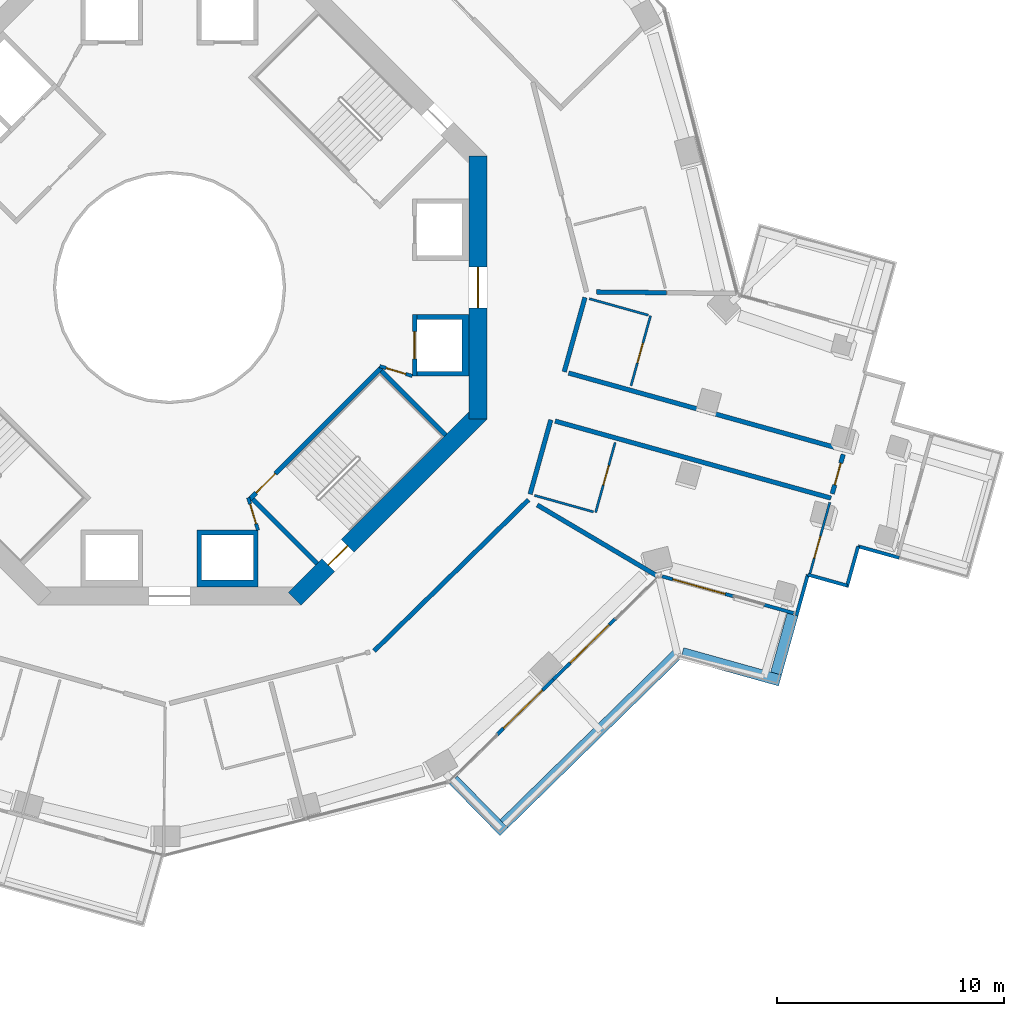
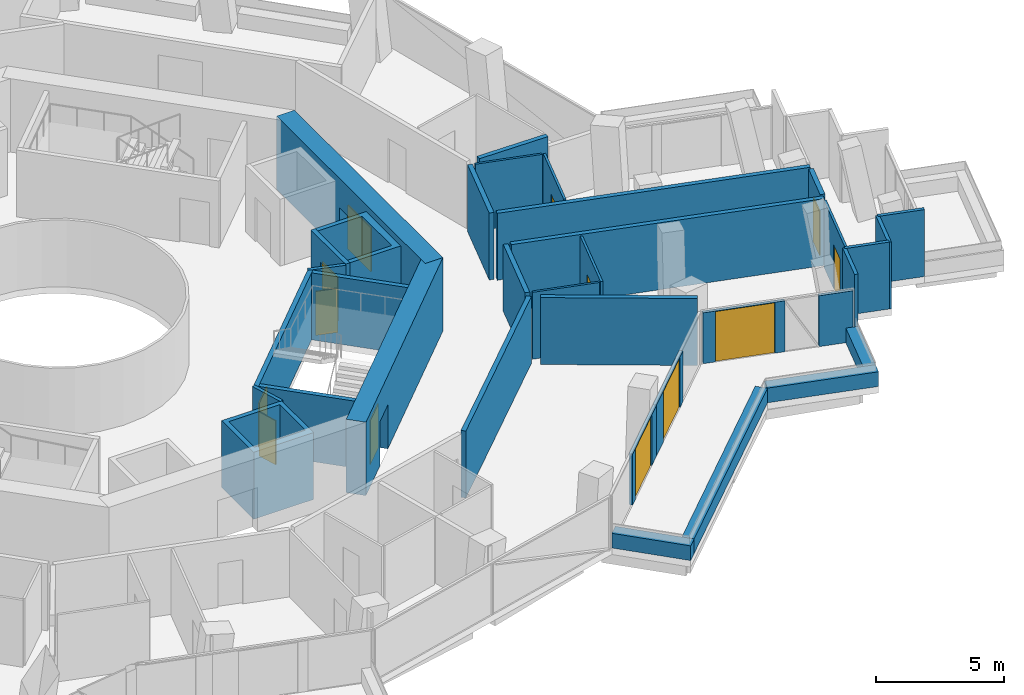
# One storey, part 20 of 26: 35 walls, 13 doors, 13 openings.
"""IFC4 building model written with IfcOpenShell, lengths in metres."""

from ifc_helpers import new_model, si_unit, direction, frame, frame_2d, origin, place, context, subcontext, project, spatial, polyline, rectangle, outline, extrude, material, layer, layer_set, type_object, element, fill, save


model = new_model("IFC4")

# Units and contexts
model_context = context("Model", 3, precision=1e-05, world=origin(), true_north=direction((0.0, 1.0)))
body_context = subcontext(model_context, "Body", "Model", "MODEL_VIEW")
ifc_project = project(units=[si_unit("LENGTHUNIT", "METRE"), si_unit("AREAUNIT", "SQUARE_METRE"), si_unit("VOLUMEUNIT", "CUBIC_METRE"), si_unit("PLANEANGLEUNIT", "RADIAN"), si_unit("MASSUNIT", "GRAM", prefix="KILO")], contexts=[model_context])

# Site, building, storey
site_placement = place(None, origin())
site = spatial("IfcSite", under=ifc_project, at=site_placement, CompositionType="ELEMENT")
building_placement = place(site_placement, origin())
building = spatial("IfcBuilding", under=site, at=building_placement, Name="Verdalira Terraces Hotel", CompositionType="ELEMENT")
storey_placement = place(building_placement, frame((0.0, 0.0, 93.0)))
storey = spatial("IfcBuildingStorey", under=building, at=storey_placement, Name="L21", CompositionType="ELEMENT", Elevation=93.0)

# Walls
ifc_material_1 = material(Name="Concrete C40", Category="concrete")
ifc_layer_1 = layer(ifc_material_1, 0.5)
ifc_layer_set_1 = layer_set([ifc_layer_1], Name="Balcony planter trough with tree")
wall_type_1 = type_object("IfcWallType", Name="Balcony planter trough with tree", PredefinedType="SOLIDWALL", material=ifc_layer_set_1)
wall_1_placement = place(storey_placement, frame((12.507812, -21.705566, 0.0), z_axis=(0.0, 0.0, 1.0), x_axis=(0.699665376, -0.714470686, 0.0)))
element("IfcWall", 1, at=wall_1_placement, inside=storey, type_object=wall_type_1, Name="Balcony planter", PredefinedType="SOLIDWALL", context=body_context, shape_type="SweptSolid", body=[
    extrude(rectangle(XDim=3.198975, YDim=0.5, at=frame_2d((1.599609, 0.0))), origin(), (0.0, 0.0, 1.0), 0.699951),
])
wall_2_placement = place(storey_placement, frame((14.749756, -23.637695, 0.0), z_axis=(0.0, 0.0, 1.0), x_axis=(0.714470566, 0.699665499, 0.0)))
element("IfcWall", 2, at=wall_2_placement, inside=storey, type_object=wall_type_1, Name="Balcony planter", PredefinedType="SOLIDWALL", context=body_context, shape_type="SweptSolid", body=[
    extrude(rectangle(XDim=10.652832, YDim=0.5, at=frame_2d((5.326416, 0.0))), origin(), (0.0, 0.0, 1.0), 0.699951),
])
wall_3_placement = place(storey_placement, frame((22.602783, -16.122314, 0.0), z_axis=(0.0, 0.0, 1.0), x_axis=(0.963163129, -0.268917807, 0.0)))
element("IfcWall", 3, at=wall_3_placement, inside=storey, type_object=wall_type_1, Name="Balcony planter", PredefinedType="SOLIDWALL", context=body_context, shape_type="SweptSolid", body=[
    extrude(rectangle(XDim=4.476562, YDim=0.5, at=frame_2d((2.238281, 0.0))), origin(), (0.0, 0.0, 1.0), 0.699951),
])
wall_4_placement = place(storey_placement, frame((26.740967, -17.018066, 0.0), z_axis=(0.0, 0.0, 1.0), x_axis=(0.268921917, 0.963161982, 0.0)))
element("IfcWall", 4, at=wall_4_placement, inside=storey, type_object=wall_type_1, Name="Balcony planter", PredefinedType="SOLIDWALL", context=body_context, shape_type="SweptSolid", body=[
    extrude(rectangle(XDim=2.698975, YDim=0.5, at=frame_2d((1.349609, 0.0))), origin(), (0.0, 0.0, 1.0), 0.699951),
])
ifc_material_2 = material(Name="Moisture-resistant gypsum board partition")
ifc_layer_2 = layer(ifc_material_2, 0.10009765625)
ifc_layer_set_2 = layer_set([ifc_layer_2], Name="Bathroom partition 100 mm")
wall_type_2 = type_object("IfcWallType", Name="Bathroom partition 100 mm", PredefinedType="PARTITIONING", material=ifc_layer_set_2)
wall_5_placement = place(storey_placement, frame((16.08667, -9.163574, 0.0), z_axis=(0.0, 0.0, 1.0), x_axis=(0.963164718, -0.268912117, 0.0)))
element("IfcWall", 5, at=wall_5_placement, inside=storey, type_object=wall_type_2, Name="Bathroom partition", PredefinedType="PARTITIONING", context=body_context, shape_type="SweptSolid", body=[
    extrude(rectangle(XDim=2.699951, YDim=0.100098, at=frame_2d((1.350098, 0.0))), origin(), (0.0, 0.0, 1.0), 3.189941),
])

# Wall, opening, door
wall_6_placement = place(storey_placement, frame((18.783447, -9.916504, 0.0), z_axis=(0.0, 0.0, 1.0), x_axis=(0.268942177, 0.963156324, 0.0)))
wall_6 = element("IfcWall", 6, at=wall_6_placement, inside=storey, type_object=wall_type_2, Name="Bathroom partition", PredefinedType="PARTITIONING", context=body_context, shape_type="SweptSolid", body=[
    extrude(rectangle(XDim=3.199951, YDim=0.100098, at=frame_2d((1.600098, 0.0))), origin(), (0.0, 0.0, 1.0), 3.189941),
])
opening_1_placement = place(wall_6_placement, frame((1.25, 0.0, 0.0)))
opening_1 = element("IfcOpeningElement", 7, at=opening_1_placement, cuts=wall_6, Name="Opening L21-131", PredefinedType="OPENING", context=body_context, shape_type="SweptSolid", body=[
    extrude(rectangle(XDim=0.899902, YDim=2.100098, at=frame_2d((0.449951, 1.050049))), frame((0.0, 0.060059, 0.0), z_axis=(0.0, -1.0, 0.0), x_axis=(1.0, 0.0, 0.0)), (0.0, 0.0, 1.0), 0.120117),
])
ifc_material_3 = material(Name="Timber door", Category="wood")
door_type_1 = type_object("IfcDoorType", Name="Bathroom door 900 x 2100", OperationType="NOTDEFINED", PredefinedType="DOOR", material=ifc_material_3)
door_1_placement = place(opening_1_placement, origin())
door_1 = element("IfcDoor", 8, at=door_1_placement, inside=storey, type_object=door_type_1, Name="Bathroom door 2110", OperationType="SINGLE_SWING_LEFT", OverallHeight=2.10009765625, OverallWidth=0.89990234375, PredefinedType="DOOR", context=body_context, shape_type="SweptSolid", body=[
    extrude(rectangle(XDim=0.899902, YDim=2.100098, at=frame_2d((0.449951, 1.050049))), frame((0.0, 0.024902, 0.0), z_axis=(0.0, -1.0, 0.0), x_axis=(1.0, 0.0, 0.0)), (0.0, 0.0, 1.0), 0.050049),
])
fill(opening_1, door_1)

# Wall
wall_7_placement = place(storey_placement, frame((21.107422, -1.221191, 0.0), z_axis=(0.0, 0.0, 1.0), x_axis=(-0.963164718, 0.268912117, 0.0)))
element("IfcWall", 9, at=wall_7_placement, inside=storey, type_object=wall_type_2, Name="Bathroom partition", PredefinedType="PARTITIONING", context=body_context, shape_type="SweptSolid", body=[
    extrude(rectangle(XDim=2.699951, YDim=0.100098, at=frame_2d((1.350098, 0.0))), origin(), (0.0, 0.0, 1.0), 3.189941),
])

# Wall, opening, door
wall_8_placement = place(storey_placement, frame((20.343262, -4.330078, 0.0), z_axis=(0.0, 0.0, 1.0), x_axis=(0.268942177, 0.963156324, 0.0)))
wall_8 = element("IfcWall", 10, at=wall_8_placement, inside=storey, type_object=wall_type_2, Name="Bathroom partition", PredefinedType="PARTITIONING", context=body_context, shape_type="SweptSolid", body=[
    extrude(rectangle(XDim=3.199951, YDim=0.100098, at=frame_2d((1.600098, 0.0))), origin(), (0.0, 0.0, 1.0), 3.189941),
])
opening_2_placement = place(wall_8_placement, frame((1.050049, 0.0, 0.0)))
opening_2 = element("IfcOpeningElement", 11, at=opening_2_placement, cuts=wall_8, Name="Opening L21-132", PredefinedType="OPENING", context=body_context, shape_type="SweptSolid", body=[
    extrude(rectangle(XDim=0.899902, YDim=2.100098, at=frame_2d((0.449951, 1.050049))), frame((0.0, 0.060059, 0.0), z_axis=(0.0, -1.0, 0.0), x_axis=(1.0, 0.0, 0.0)), (0.0, 0.0, 1.0), 0.120117),
])
door_2_placement = place(opening_2_placement, origin())
door_2 = element("IfcDoor", 12, at=door_2_placement, inside=storey, type_object=door_type_1, Name="Bathroom door 2110", OperationType="SINGLE_SWING_RIGHT", OverallHeight=2.10009765625, OverallWidth=0.89990234375, PredefinedType="DOOR", context=body_context, shape_type="SweptSolid", body=[
    extrude(rectangle(XDim=0.899902, YDim=2.100098, at=frame_2d((0.449951, 1.050049))), frame((0.0, 0.024902, 0.0), z_axis=(0.0, -1.0, 0.0), x_axis=(1.0, 0.0, 0.0)), (0.0, 0.0, 1.0), 0.050049),
])
fill(opening_2, door_2)

wall_9_placement = place(storey_placement, frame((28.231689, -12.608398, 0.0), z_axis=(0.0, 0.0, 1.0), x_axis=(0.268925312, 0.963161034, 0.0)))
wall_9 = element("IfcWall", 13, at=wall_9_placement, inside=storey, type_object=wall_type_2, Name="Bathroom partition", PredefinedType="PARTITIONING", context=body_context, shape_type="SweptSolid", body=[
    extrude(rectangle(XDim=3.251953, YDim=0.100098, at=frame_2d((1.625977, 0.0))), origin(), (0.0, 0.0, 1.0), 3.189941),
])
opening_3_placement = place(wall_9_placement, frame((0.699951, 0.0, 0.0)))
opening_3 = element("IfcOpeningElement", 14, at=opening_3_placement, cuts=wall_9, Name="Opening L21-129", PredefinedType="OPENING", context=body_context, shape_type="SweptSolid", body=[
    extrude(rectangle(XDim=1.0, YDim=2.100098, at=frame_2d((0.5, 1.050049))), frame((0.0, 0.060059, 0.0), z_axis=(0.0, -1.0, 0.0), x_axis=(1.0, 0.0, 0.0)), (0.0, 0.0, 1.0), 0.120117),
])
ifc_material_4 = material(Name="Timber door", Category="wood")
door_type_2 = type_object("IfcDoorType", Name="Suite internal door 1000 x 2100", OperationType="NOTDEFINED", PredefinedType="DOOR", material=ifc_material_4)
door_3_placement = place(opening_3_placement, origin())
door_3 = element("IfcDoor", 15, at=door_3_placement, inside=storey, type_object=door_type_2, Name="Suite internal door 2110", OperationType="SINGLE_SWING_LEFT", OverallHeight=2.10009765625, OverallWidth=1.0, PredefinedType="DOOR", context=body_context, shape_type="SweptSolid", body=[
    extrude(rectangle(XDim=1.0, YDim=2.100098, at=frame_2d((0.5, 1.050049))), frame((0.0, 0.024902, 0.0), z_axis=(0.0, -1.0, 0.0), x_axis=(1.0, 0.0, 0.0)), (0.0, 0.0, 1.0), 0.050049),
])
fill(opening_3, door_3)

# Wall
ifc_material_5 = material(Name="Concrete C50", Category="concrete")
ifc_layer_3 = layer(ifc_material_5, 0.199951171875)
ifc_layer_set_3 = layer_set([ifc_layer_3], Name="Core RC wall 200 C50")
wall_type_3 = type_object("IfcWallType", Name="Core RC wall 200 C50", PredefinedType="SOLIDWALL", material=ifc_layer_set_3)
wall_10_placement = place(storey_placement, origin())
element("IfcWall", 16, at=wall_10_placement, inside=storey, type_object=wall_type_3, Name="L21 shaft wall E1", PredefinedType="SOLIDWALL", context=body_context, shape_type="SweptSolid", body=[
    extrude(outline(polyline([(13.199951, -3.899902), (10.899902, -3.899902), (10.899902, -3.699951), (12.899902, -3.699951), (12.899902, -1.399902), (10.899902, -1.399902), (10.899902, -1.199951), (13.199951, -1.199951), (13.199951, -3.899902)])), origin(), (0.0, 0.0, 1.0), 3.189941),
])

# Wall, opening, door
wall_11_placement = place(storey_placement, frame((10.800049, -1.199951, 0.0), z_axis=(0.0, 0.0, 1.0), x_axis=(0.0, -1.0, 0.0)))
wall_11 = element("IfcWall", 17, at=wall_11_placement, inside=storey, type_object=wall_type_3, Name="L21 shaft front wall E1", PredefinedType="SOLIDWALL", context=body_context, shape_type="SweptSolid", body=[
    extrude(rectangle(XDim=2.699951, YDim=0.199951, at=frame_2d((1.350098, 0.0))), origin(), (0.0, 0.0, 1.0), 3.189941),
])
opening_4_placement = place(wall_11_placement, frame((0.75, 0.0, 0.0)))
opening_4 = element("IfcOpeningElement", 18, at=opening_4_placement, cuts=wall_11, Name="Opening LD-L21-801", PredefinedType="OPENING", context=body_context, shape_type="SweptSolid", body=[
    extrude(rectangle(XDim=1.199951, YDim=2.100098, at=frame_2d((0.600098, 1.050049))), frame((0.0, 0.109863, 0.0), z_axis=(0.0, -1.0, 0.0), x_axis=(1.0, 0.0, 0.0)), (0.0, 0.0, 1.0), 0.219971),
])
ifc_material_6 = material(Name="Stainless steel", Category="steel")
door_type_3 = type_object("IfcDoorType", Name="Landing door 1200 x 2100", OperationType="NOTDEFINED", PredefinedType="DOOR", material=ifc_material_6)
door_4_placement = place(opening_4_placement, origin())
door_4 = element("IfcDoor", 19, at=door_4_placement, inside=storey, type_object=door_type_3, Name="Lift landing door LR1 L21", OperationType="DOUBLE_DOOR_SLIDING", OverallHeight=2.10009765625, OverallWidth=1.199951171875, PredefinedType="DOOR", context=body_context, shape_type="SweptSolid", body=[
    extrude(rectangle(XDim=1.199951, YDim=2.100098, at=frame_2d((0.600098, 1.050049))), frame((0.0, 0.024902, 0.0), z_axis=(0.0, -1.0, 0.0), x_axis=(1.0, 0.0, 0.0)), (0.0, 0.0, 1.0), 0.050049),
])
fill(opening_4, door_4)

# Wall
wall_12_placement = place(storey_placement, origin())
element("IfcWall", 20, at=wall_12_placement, inside=storey, type_object=wall_type_3, Name="L21 shaft wall S2", PredefinedType="SOLIDWALL", context=body_context, shape_type="SweptSolid", body=[
    extrude(outline(polyline([(3.899902, -10.699951), (3.899902, -13.199951), (1.199951, -13.199951), (1.199951, -10.699951), (3.899902, -10.699951)]), holes=[polyline([(1.399902, -12.899902), (3.699951, -12.899902), (3.699951, -10.899902), (1.399902, -10.899902), (1.399902, -12.899902)])]), origin(), (0.0, 0.0, 1.0), 3.189941),
])

# Wall, opening, door
wall_13_placement = place(storey_placement, frame((9.33374, -3.5354, 0.0), z_axis=(0.0, 0.0, 1.0), x_axis=(-0.707106781, -0.707106781, 0.0)))
wall_13 = element("IfcWall", 21, at=wall_13_placement, inside=storey, type_object=wall_type_3, Name="L21 stair ST3 front wall", PredefinedType="SOLIDWALL", context=body_context, shape_type="SweptSolid", body=[
    extrude(rectangle(XDim=8.200195, YDim=0.199951, at=frame_2d((4.100098, 0.0))), origin(), (0.0, 0.0, 1.0), 3.189941),
])
opening_5_placement = place(wall_13_placement, frame((6.600098, 0.0, 0.0)))
opening_5 = element("IfcOpeningElement", 22, at=opening_5_placement, cuts=wall_13, Name="Opening L21-811", PredefinedType="OPENING", context=body_context, shape_type="SweptSolid", body=[
    extrude(rectangle(XDim=1.199951, YDim=2.100098, at=frame_2d((0.600098, 1.050049))), frame((0.0, 0.109863, 0.0), z_axis=(0.0, -1.0, 0.0), x_axis=(1.0, 0.0, 0.0)), (0.0, 0.0, 1.0), 0.219971),
])
ifc_material_7 = material(Name="Steel fire door", Category="steel")
door_type_4 = type_object("IfcDoorType", Name="Stair door 1200 x 2100", OperationType="NOTDEFINED", PredefinedType="DOOR", material=ifc_material_7)
door_5_placement = place(opening_5_placement, origin())
door_5 = element("IfcDoor", 23, at=door_5_placement, inside=storey, type_object=door_type_4, Name="Stair door ST3 L21", OperationType="SINGLE_SWING_RIGHT", OverallHeight=2.10009765625, OverallWidth=1.199951171875, PredefinedType="DOOR", context=body_context, shape_type="SweptSolid", body=[
    extrude(rectangle(XDim=1.199951, YDim=2.100098, at=frame_2d((0.600098, 1.050049))), frame((0.0, 0.024902, 0.0), z_axis=(0.0, -1.0, 0.0), x_axis=(1.0, 0.0, 0.0)), (0.0, 0.0, 1.0), 0.050049),
])
fill(opening_5, door_5)

# Walls
for number, where, z_axis, x_axis, name in (
    (24, (3.677002, -9.33374, 0.0), (0.0, 0.0, 1.0), (0.707106781, -0.707106781, 0.0), "L21 stair ST3 end wall 1"),
    (25, (9.33374, -3.677002, 0.0), (0.0, 0.0, 1.0), (0.707106781, -0.707106781, 0.0), "L21 stair ST3 end wall 2"),
):
    element("IfcWall", number, at=place(storey_placement, frame(where, z_axis=z_axis, x_axis=x_axis)), inside=storey, type_object=wall_type_3, Name=name, PredefinedType="SOLIDWALL", context=body_context, shape_type="SweptSolid", body=[
        extrude(rectangle(XDim=4.0, YDim=0.199951, at=frame_2d((2.0, 0.0))), origin(), (0.0, 0.0, 1.0), 3.189941),
    ])

# Wall, opening, door
ifc_material_8 = material(Name="Gypsum board partition")
ifc_layer_4 = layer(ifc_material_8, 0.14990234375)
ifc_layer_set_4 = layer_set([ifc_layer_4], Name="Core partition 150 mm")
wall_type_4 = type_object("IfcWallType", Name="Core partition 150 mm", PredefinedType="PARTITIONING", material=ifc_layer_set_4)
wall_14_placement = place(storey_placement, frame((3.899902, -10.699951, 0.0), z_axis=(0.0, 0.0, 1.0), x_axis=(-0.289808785, 0.957084567, 0.0)))
wall_14 = element("IfcWall", 26, at=wall_14_placement, inside=storey, type_object=wall_type_4, Name="Room partition L21", PredefinedType="PARTITIONING", context=body_context, shape_type="SweptSolid", body=[
    extrude(rectangle(XDim=1.501221, YDim=0.149902, at=frame_2d((0.750488, 0.0))), origin(), (0.0, 0.0, 1.0), 3.189941),
])
opening_6_placement = place(wall_14_placement, frame((0.300781, 0.0, 0.0)))
opening_6 = element("IfcOpeningElement", 27, at=opening_6_placement, cuts=wall_14, Name="Opening L21-822", PredefinedType="OPENING", context=body_context, shape_type="SweptSolid", body=[
    extrude(rectangle(XDim=0.899902, YDim=2.100098, at=frame_2d((0.449951, 1.050049))), frame((0.0, 0.084961, 0.0), z_axis=(0.0, -1.0, 0.0), x_axis=(1.0, 0.0, 0.0)), (0.0, 0.0, 1.0), 0.169922),
])
ifc_material_9 = material(Name="Steel fire door", Category="steel")
door_type_5 = type_object("IfcDoorType", Name="Core room door 900 x 2100", OperationType="NOTDEFINED", PredefinedType="DOOR", material=ifc_material_9)
door_6_placement = place(opening_6_placement, origin())
door_6 = element("IfcDoor", 28, at=door_6_placement, inside=storey, type_object=door_type_5, Name="Door L21 room6", OperationType="SINGLE_SWING_LEFT", OverallHeight=2.10009765625, OverallWidth=0.89990234375, PredefinedType="DOOR", context=body_context, shape_type="SweptSolid", body=[
    extrude(rectangle(XDim=0.899902, YDim=2.100098, at=frame_2d((0.449951, 1.050049))), frame((0.0, 0.024902, 0.0), z_axis=(0.0, -1.0, 0.0), x_axis=(1.0, 0.0, 0.0)), (0.0, 0.0, 1.0), 0.050049),
])
fill(opening_6, door_6)

wall_15_placement = place(storey_placement, frame((9.263184, -3.464844, 0.0), z_axis=(0.0, 0.0, 1.0), x_axis=(0.957084567, -0.289808785, 0.0)))
wall_15 = element("IfcWall", 29, at=wall_15_placement, inside=storey, type_object=wall_type_4, Name="Room partition L21", PredefinedType="PARTITIONING", context=body_context, shape_type="SweptSolid", body=[
    extrude(rectangle(XDim=1.501221, YDim=0.149902, at=frame_2d((0.750488, 0.0))), origin(), (0.0, 0.0, 1.0), 3.189941),
])
opening_7_placement = place(wall_15_placement, frame((0.300781, 0.0, 0.0)))
opening_7 = element("IfcOpeningElement", 30, at=opening_7_placement, cuts=wall_15, Name="Opening L21-823", PredefinedType="OPENING", context=body_context, shape_type="SweptSolid", body=[
    extrude(rectangle(XDim=0.899902, YDim=2.100098, at=frame_2d((0.449951, 1.050049))), frame((0.0, 0.084961, 0.0), z_axis=(0.0, -1.0, 0.0), x_axis=(1.0, 0.0, 0.0)), (0.0, 0.0, 1.0), 0.169922),
])
door_7_placement = place(opening_7_placement, origin())
door_7 = element("IfcDoor", 31, at=door_7_placement, inside=storey, type_object=door_type_5, Name="Door L21 room7", OperationType="SINGLE_SWING_LEFT", OverallHeight=2.10009765625, OverallWidth=0.89990234375, PredefinedType="DOOR", context=body_context, shape_type="SweptSolid", body=[
    extrude(rectangle(XDim=0.899902, YDim=2.100098, at=frame_2d((0.449951, 1.050049))), frame((0.0, 0.024902, 0.0), z_axis=(0.0, -1.0, 0.0), x_axis=(1.0, 0.0, 0.0)), (0.0, 0.0, 1.0), 0.050049),
])
fill(opening_7, door_7)

ifc_material_10 = material(Name="Concrete C70", Category="concrete")
ifc_layer_5 = layer(ifc_material_10, 0.800048828125)
ifc_layer_set_5 = layer_set([ifc_layer_5], Name="Core wall 800 C70")
wall_type_5 = type_object("IfcWallType", Name="Core wall 800 C70", PredefinedType="SHEAR", material=ifc_layer_set_5)
wall_16_placement = place(storey_placement, frame((13.600098, -5.799072, 0.0), z_axis=(0.0, 0.0, 1.0), x_axis=(0.0, 1.0, 0.0)))
wall_16 = element("IfcWall", 32, at=wall_16_placement, inside=storey, type_object=wall_type_5, Name="Core wall CW-L21-1", PredefinedType="SHEAR", context=body_context, shape_type="SweptSolid", body=[
    extrude(rectangle(XDim=11.598145, YDim=0.800049, at=frame_2d((5.799072, 0.0))), origin(), (0.0, 0.0, 1.0), 3.5),
])
opening_8_placement = place(wall_16_placement, frame((4.898926, 0.0, 0.0)))
opening_8 = element("IfcOpeningElement", 33, at=opening_8_placement, cuts=wall_16, Name="Opening L21-812", PredefinedType="OPENING", context=body_context, shape_type="SweptSolid", body=[
    extrude(rectangle(XDim=1.800049, YDim=2.100098, at=frame_2d((0.899902, 1.050049))), frame((0.0, 0.409912, 0.0), z_axis=(0.0, -1.0, 0.0), x_axis=(1.0, 0.0, 0.0)), (0.0, 0.0, 1.0), 0.820068),
])
ifc_material_11 = material(Name="Steel fire door", Category="steel")
door_type_6 = type_object("IfcDoorType", Name="Core entry door pair 1800 x 2100", OperationType="NOTDEFINED", PredefinedType="DOOR", material=ifc_material_11)
door_8_placement = place(opening_8_placement, origin())
door_8 = element("IfcDoor", 34, at=door_8_placement, inside=storey, type_object=door_type_6, Name="Core entry door L21 0", OperationType="DOUBLE_DOOR_SINGLE_SWING", OverallHeight=2.10009765625, OverallWidth=1.800048828125, PredefinedType="DOOR", context=body_context, shape_type="SweptSolid", body=[
    extrude(rectangle(XDim=1.800049, YDim=2.100098, at=frame_2d((0.899902, 1.050049))), frame((0.0, 0.024902, 0.0), z_axis=(0.0, -1.0, 0.0), x_axis=(1.0, 0.0, 0.0)), (0.0, 0.0, 1.0), 0.050049),
])
fill(opening_8, door_8)

wall_17_placement = place(storey_placement, frame((5.516113, -13.717285, 0.0), z_axis=(0.0, 0.0, 1.0), x_axis=(0.707106781, 0.707106781, 0.0)))
wall_17 = element("IfcWall", 35, at=wall_17_placement, inside=storey, type_object=wall_type_5, Name="Core wall CW-L21-8", PredefinedType="SHEAR", context=body_context, shape_type="SweptSolid", body=[
    extrude(rectangle(XDim=11.598145, YDim=0.800049, at=frame_2d((5.799072, 0.0))), origin(), (0.0, 0.0, 1.0), 3.5),
])
opening_9_placement = place(wall_17_placement, frame((2.099121, 0.0, 0.0)))
opening_9 = element("IfcOpeningElement", 36, at=opening_9_placement, cuts=wall_17, Name="Opening L21-818", PredefinedType="OPENING", context=body_context, shape_type="SweptSolid", body=[
    extrude(rectangle(XDim=1.199951, YDim=2.100098, at=frame_2d((0.600098, 1.050049))), frame((0.0, 0.409912, 0.0), z_axis=(0.0, -1.0, 0.0), x_axis=(1.0, 0.0, 0.0)), (0.0, 0.0, 1.0), 0.820068),
])
door_9_placement = place(opening_9_placement, origin())
door_9 = element("IfcDoor", 37, at=door_9_placement, inside=storey, type_object=door_type_4, Name="Stair exit door ST3 L21", OperationType="SINGLE_SWING_LEFT", OverallHeight=2.10009765625, OverallWidth=1.199951171875, PredefinedType="DOOR", context=body_context, shape_type="SweptSolid", body=[
    extrude(rectangle(XDim=1.199951, YDim=2.100098, at=frame_2d((0.600098, 1.050049))), frame((0.0, 0.024902, 0.0), z_axis=(0.0, -1.0, 0.0), x_axis=(1.0, 0.0, 0.0)), (0.0, 0.0, 1.0), 0.050049),
])
fill(opening_9, door_9)

# Walls
ifc_material_12 = material(Name="Fire-rated gypsum board wall")
ifc_layer_6 = layer(ifc_material_12, 0.199951171875)
ifc_layer_set_6 = layer_set([ifc_layer_6], Name="Demising wall 200 mm")
wall_type_6 = type_object("IfcWallType", Name="Demising wall 200 mm", PredefinedType="SOLIDWALL", material=ifc_layer_set_6)
wall_18_placement = place(storey_placement, frame((16.209473, -9.586182, 0.0), z_axis=(0.0, 0.0, 1.0), x_axis=(0.860732275, -0.509057906, 0.0)))
element("IfcWall", 38, at=wall_18_placement, inside=storey, type_object=wall_type_6, Name="Demising wall", PredefinedType="SOLIDWALL", context=body_context, shape_type="SweptSolid", body=[
    extrude(rectangle(XDim=6.13208, YDim=0.199951, at=frame_2d((3.065918, 0.0))), origin(), (0.0, 0.0, 1.0), 3.189941),
])
wall_19_placement = place(storey_placement, frame((18.831055, -0.197266, 0.0), z_axis=(0.0, 0.0, 1.0), x_axis=(0.999945068, -0.010481438, 0.0)))
element("IfcWall", 39, at=wall_19_placement, inside=storey, type_object=wall_type_6, Name="Demising wall", PredefinedType="SOLIDWALL", context=body_context, shape_type="SweptSolid", body=[
    extrude(rectangle(XDim=3.074707, YDim=0.199951, at=frame_2d((1.537354, 0.0))), origin(), (0.0, 0.0, 1.0), 3.189941),
])
ifc_material_13 = material(Name="Fire-rated gypsum board wall")
ifc_layer_7 = layer(ifc_material_13, 0.199951171875)
ifc_layer_set_7 = layer_set([ifc_layer_7], Name="Guest corridor wall 200 mm")
wall_type_7 = type_object("IfcWallType", Name="Guest corridor wall 200 mm", PredefinedType="SOLIDWALL", material=ifc_layer_set_7)
wall_20_placement = place(storey_placement, frame((9.025391, -16.016602, 0.0), z_axis=(0.0, 0.0, 1.0), x_axis=(0.714482371, 0.699653444, 0.0)))
element("IfcWall", 40, at=wall_20_placement, inside=storey, type_object=wall_type_7, Name="Guest corridor wall", PredefinedType="SOLIDWALL", context=body_context, shape_type="SweptSolid", body=[
    extrude(rectangle(XDim=9.516113, YDim=0.199951, at=frame_2d((4.758057, 0.0))), origin(), (0.0, 0.0, 1.0), 3.189941),
])
wall_21_placement = place(storey_placement, frame((15.894043, -9.109863, 0.0), z_axis=(0.0, 0.0, 1.0), x_axis=(0.268902762, 0.963167329, 0.0)))
element("IfcWall", 41, at=wall_21_placement, inside=storey, type_object=wall_type_7, Name="Guest corridor wall", PredefinedType="SOLIDWALL", context=body_context, shape_type="SweptSolid", body=[
    extrude(rectangle(XDim=3.400146, YDim=0.199951, at=frame_2d((1.700195, 0.0))), origin(), (0.0, 0.0, 1.0), 3.189941),
])
wall_22_placement = place(storey_placement, frame((17.399902, -3.716064, 0.0), z_axis=(0.0, 0.0, 1.0), x_axis=(0.26892136, 0.963162137, 0.0)))
element("IfcWall", 42, at=wall_22_placement, inside=storey, type_object=wall_type_7, Name="Guest corridor wall", PredefinedType="SOLIDWALL", context=body_context, shape_type="SweptSolid", body=[
    extrude(rectangle(XDim=3.399902, YDim=0.199951, at=frame_2d((1.699951, 0.0))), origin(), (0.0, 0.0, 1.0), 3.189941),
])
wall_23_placement = place(storey_placement, frame((17.000977, -5.888916, 0.0), z_axis=(0.0, 0.0, 1.0), x_axis=(0.963163806, -0.268915381, 0.0)))
element("IfcWall", 43, at=wall_23_placement, inside=storey, type_object=wall_type_7, Name="Guest corridor wall", PredefinedType="SOLIDWALL", context=body_context, shape_type="SweptSolid", body=[
    extrude(rectangle(XDim=12.624023, YDim=0.199951, at=frame_2d((6.312012, 0.0))), origin(), (0.0, 0.0, 1.0), 3.189941),
])
wall_24_placement = place(storey_placement, frame((29.751709, -7.164795, 0.0), z_axis=(0.0, 0.0, 1.0), x_axis=(-0.963165205, 0.268910372, 0.0)))
element("IfcWall", 44, at=wall_24_placement, inside=storey, type_object=wall_type_7, Name="Guest corridor wall", PredefinedType="SOLIDWALL", context=body_context, shape_type="SweptSolid", body=[
    extrude(rectangle(XDim=12.624268, YDim=0.199951, at=frame_2d((6.312012, 0.0))), origin(), (0.0, 0.0, 1.0), 3.189941),
])

# Wall, opening, door
wall_25_placement = place(storey_placement, frame((29.698242, -7.355469, 0.0), z_axis=(0.0, 0.0, 1.0), x_axis=(-0.268907002, -0.963166146, 0.0)))
wall_25 = element("IfcWall", 45, at=wall_25_placement, inside=storey, type_object=wall_type_7, Name="Guest corridor wall", PredefinedType="SOLIDWALL", context=body_context, shape_type="SweptSolid", body=[
    extrude(rectangle(XDim=1.803955, YDim=0.199951, at=frame_2d((0.901855, 0.0))), origin(), (0.0, 0.0, 1.0), 3.189941),
])
opening_10_placement = place(wall_25_placement, frame((0.399902, 0.0, 0.0)))
opening_10 = element("IfcOpeningElement", 46, at=opening_10_placement, cuts=wall_25, Name="Opening L21-128", PredefinedType="OPENING", context=body_context, shape_type="SweptSolid", body=[
    extrude(rectangle(XDim=1.0, YDim=2.100098, at=frame_2d((0.5, 1.050049))), frame((0.0, 0.109863, 0.0), z_axis=(0.0, -1.0, 0.0), x_axis=(1.0, 0.0, 0.0)), (0.0, 0.0, 1.0), 0.219971),
])
ifc_material_14 = material(Name="Timber fire door", Category="wood")
door_type_7 = type_object("IfcDoorType", Name="Guest entry door 1000 x 2100", OperationType="NOTDEFINED", PredefinedType="DOOR", material=ifc_material_14)
door_10_placement = place(opening_10_placement, origin())
door_10 = element("IfcDoor", 47, at=door_10_placement, inside=storey, type_object=door_type_7, Name="Guest entry door 2110", OperationType="SINGLE_SWING_LEFT", OverallHeight=2.10009765625, OverallWidth=1.0, PredefinedType="DOOR", context=body_context, shape_type="SweptSolid", body=[
    extrude(rectangle(XDim=1.0, YDim=2.100098, at=frame_2d((0.5, 1.050049))), frame((0.0, 0.024902, 0.0), z_axis=(0.0, -1.0, 0.0), x_axis=(1.0, 0.0, 0.0)), (0.0, 0.0, 1.0), 0.050049),
])
fill(opening_10, door_10)

# Walls
ifc_material_15 = material(Name="Terracotta cladding", Category="masonry")
ifc_layer_8 = layer(ifc_material_15, 0.14990234375)
ifc_layer_set_8 = layer_set([ifc_layer_8], Name="Terracotta clad wall 150")
wall_type_8 = type_object("IfcWallType", Name="Terracotta clad wall 150", PredefinedType="SOLIDWALL", material=ifc_layer_set_8)
wall_26_placement = place(storey_placement, frame((27.635498, -14.4646, 0.0), z_axis=(0.0, 0.0, 1.0), x_axis=(0.268886057, 0.963171993, 0.0)))
element("IfcWall", 48, at=wall_26_placement, inside=storey, type_object=wall_type_8, Name="Terracotta cladding wall", PredefinedType="SOLIDWALL", context=body_context, shape_type="SweptSolid", body=[
    extrude(rectangle(XDim=1.875, YDim=0.149902, at=frame_2d((0.9375, 0.0))), origin(), (0.0, 0.0, 1.0), 3.189941),
])
wall_27_placement = place(storey_placement, frame((28.139648, -12.658691, 0.0), z_axis=(0.0, 0.0, 1.0), x_axis=(0.963159547, -0.268930637, 0.0)))
element("IfcWall", 49, at=wall_27_placement, inside=storey, type_object=wall_type_8, Name="Terracotta cladding wall", PredefinedType="SOLIDWALL", context=body_context, shape_type="SweptSolid", body=[
    extrude(rectangle(XDim=1.800293, YDim=0.149902, at=frame_2d((0.900146, 0.0))), origin(), (0.0, 0.0, 1.0), 3.189941),
])
for number, where, z_axis, x_axis, name in (
    (50, (29.853271, -13.214844, 0.0), (0.0, 0.0, 1.0), (0.268886057, 0.963171993, 0.0), "Terracotta cladding wall"),
    (51, (30.357422, -11.408936, 0.0), (0.0, 0.0, 1.0), (0.963138264, -0.269006848, 0.0), "Terracotta cladding wall"),
):
    element("IfcWall", number, at=place(storey_placement, frame(where, z_axis=z_axis, x_axis=x_axis)), inside=storey, type_object=wall_type_8, Name=name, PredefinedType="SOLIDWALL", context=body_context, shape_type="SweptSolid", body=[
        extrude(rectangle(XDim=1.875, YDim=0.149902, at=frame_2d((0.9375, 0.0))), origin(), (0.0, 0.0, 1.0), 3.189941),
    ])
ifc_material_16 = material(Name="Terracotta cladding", Category="masonry")
ifc_layer_9 = layer(ifc_material_16, 0.14990234375)
ifc_layer_set_9 = layer_set([ifc_layer_9], Name="Terracotta column pier 150")
wall_type_9 = type_object("IfcWallType", Name="Terracotta column pier 150", PredefinedType="SOLIDWALL", material=ifc_layer_set_9)
wall_28_placement = place(storey_placement, frame((26.206299, -13.987549, 0.0), z_axis=(0.0, 0.0, 1.0), x_axis=(0.96315954, -0.26893066, 0.0)))
element("IfcWall", 52, at=wall_28_placement, inside=storey, type_object=wall_type_9, Name="Terracotta column pier", PredefinedType="SOLIDWALL", context=body_context, shape_type="SweptSolid", body=[
    extrude(rectangle(XDim=1.359863, YDim=0.149902, at=frame_2d((0.679932, 0.0))), origin(), (0.0, 0.0, 1.0), 2.425049),
])

# Wall, opening, door
ifc_material_17 = material(Name="Terracotta cladding", Category="masonry")
ifc_layer_10 = layer(ifc_material_17, 0.14990234375)
ifc_layer_set_10 = layer_set([ifc_layer_10], Name="Terracotta door pier 150")
wall_type_10 = type_object("IfcWallType", Name="Terracotta door pier 150", PredefinedType="SOLIDWALL", material=ifc_layer_set_10)
wall_29_placement = place(storey_placement, frame((14.4375, -19.709717, 0.0), z_axis=(0.0, 0.0, 1.0), x_axis=(0.714445304, 0.699691295, 0.0)))
wall_29 = element("IfcWall", 53, at=wall_29_placement, inside=storey, type_object=wall_type_10, Name="Terracotta door pier", PredefinedType="SOLIDWALL", context=body_context, shape_type="SweptSolid", body=[
    extrude(rectangle(XDim=3.474854, YDim=0.149902, at=frame_2d((1.737305, 0.0))), origin(), (0.0, 0.0, 1.0), 2.425049),
])
opening_11_placement = place(wall_29_placement, frame((0.399902, 0.0, 0.0)))
opening_11 = element("IfcOpeningElement", 54, at=opening_11_placement, cuts=wall_29, Name="Opening L21-B12", PredefinedType="OPENING", context=body_context, shape_type="SweptSolid", body=[
    extrude(rectangle(XDim=2.399902, YDim=2.399902, at=frame_2d((1.199951, 1.199951))), frame((0.0, 0.084961, 0.0), z_axis=(0.0, -1.0, 0.0), x_axis=(1.0, 0.0, 0.0)), (0.0, 0.0, 1.0), 0.169922),
])
ifc_material_18 = material(Name="Clear glass", Category="glass")
door_type_8 = type_object("IfcDoorType", Name="Balcony sliding door 2400x2400", OperationType="NOTDEFINED", PredefinedType="DOOR", material=ifc_material_18)
door_11_placement = place(opening_11_placement, origin())
door_11 = element("IfcDoor", 55, at=door_11_placement, inside=storey, type_object=door_type_8, Name="Balcony sliding door", OperationType="SLIDING_TO_RIGHT", OverallHeight=2.39990234375, OverallWidth=2.39990234375, PredefinedType="DOOR", context=body_context, shape_type="SweptSolid", body=[
    extrude(rectangle(XDim=2.399902, YDim=2.399902, at=frame_2d((1.199951, 1.199951))), frame((0.0, 0.024902, 0.0), z_axis=(0.0, -1.0, 0.0), x_axis=(1.0, 0.0, 0.0)), (0.0, 0.0, 1.0), 0.050049),
])
fill(opening_11, door_11)

wall_30_placement = place(storey_placement, frame((16.920166, -17.27832, 0.0), z_axis=(0.0, 0.0, 1.0), x_axis=(0.714483248, 0.699652549, 0.0)))
wall_30 = element("IfcWall", 56, at=wall_30_placement, inside=storey, type_object=wall_type_10, Name="Terracotta door pier", PredefinedType="SOLIDWALL", context=body_context, shape_type="SweptSolid", body=[
    extrude(rectangle(XDim=3.835693, YDim=0.149902, at=frame_2d((1.917969, 0.0))), origin(), (0.0, 0.0, 1.0), 2.425049),
])
opening_12_placement = place(wall_30_placement, frame((1.0354, 0.0, 0.0)))
opening_12 = element("IfcOpeningElement", 57, at=opening_12_placement, cuts=wall_30, Name="Opening L21-B13", PredefinedType="OPENING", context=body_context, shape_type="SweptSolid", body=[
    extrude(rectangle(XDim=2.399902, YDim=2.399902, at=frame_2d((1.199951, 1.199951))), frame((0.0, 0.084961, 0.0), z_axis=(0.0, -1.0, 0.0), x_axis=(1.0, 0.0, 0.0)), (0.0, 0.0, 1.0), 0.169922),
])
door_12_placement = place(opening_12_placement, origin())
door_12 = element("IfcDoor", 58, at=door_12_placement, inside=storey, type_object=door_type_8, Name="Balcony sliding door", OperationType="SLIDING_TO_LEFT", OverallHeight=2.39990234375, OverallWidth=2.39990234375, PredefinedType="DOOR", context=body_context, shape_type="SweptSolid", body=[
    extrude(rectangle(XDim=2.399902, YDim=2.399902, at=frame_2d((1.199951, 1.199951))), frame((0.0, 0.024902, 0.0), z_axis=(0.0, -1.0, 0.0), x_axis=(1.0, 0.0, 0.0)), (0.0, 0.0, 1.0), 0.050049),
])
fill(opening_12, door_12)

wall_31_placement = place(storey_placement, frame((21.704346, -12.730713, 0.0), z_axis=(0.0, 0.0, 1.0), x_axis=(0.963162375, -0.268920509, 0.0)))
wall_31 = element("IfcWall", 59, at=wall_31_placement, inside=storey, type_object=wall_type_10, Name="Terracotta door pier", PredefinedType="SOLIDWALL", context=body_context, shape_type="SweptSolid", body=[
    extrude(rectangle(XDim=3.293701, YDim=0.149902, at=frame_2d((1.646973, 0.0))), origin(), (0.0, 0.0, 1.0), 2.425049),
])
opening_13_placement = place(wall_31_placement, frame((0.493652, 0.0, 0.0)))
opening_13 = element("IfcOpeningElement", 60, at=opening_13_placement, cuts=wall_31, Name="Opening L21-B14", PredefinedType="OPENING", context=body_context, shape_type="SweptSolid", body=[
    extrude(rectangle(XDim=2.399902, YDim=2.399902, at=frame_2d((1.199951, 1.199951))), frame((0.0, 0.084961, 0.0), z_axis=(0.0, -1.0, 0.0), x_axis=(1.0, 0.0, 0.0)), (0.0, 0.0, 1.0), 0.169922),
])
door_13_placement = place(opening_13_placement, origin())
door_13 = element("IfcDoor", 61, at=door_13_placement, inside=storey, type_object=door_type_8, Name="Balcony sliding door", OperationType="SLIDING_TO_LEFT", OverallHeight=2.39990234375, OverallWidth=2.39990234375, PredefinedType="DOOR", context=body_context, shape_type="SweptSolid", body=[
    extrude(rectangle(XDim=2.399902, YDim=2.399902, at=frame_2d((1.199951, 1.199951))), frame((0.0, 0.024902, 0.0), z_axis=(0.0, -1.0, 0.0), x_axis=(1.0, 0.0, 0.0)), (0.0, 0.0, 1.0), 0.050049),
])
fill(opening_13, door_13)

save(model, "model.ifc")
